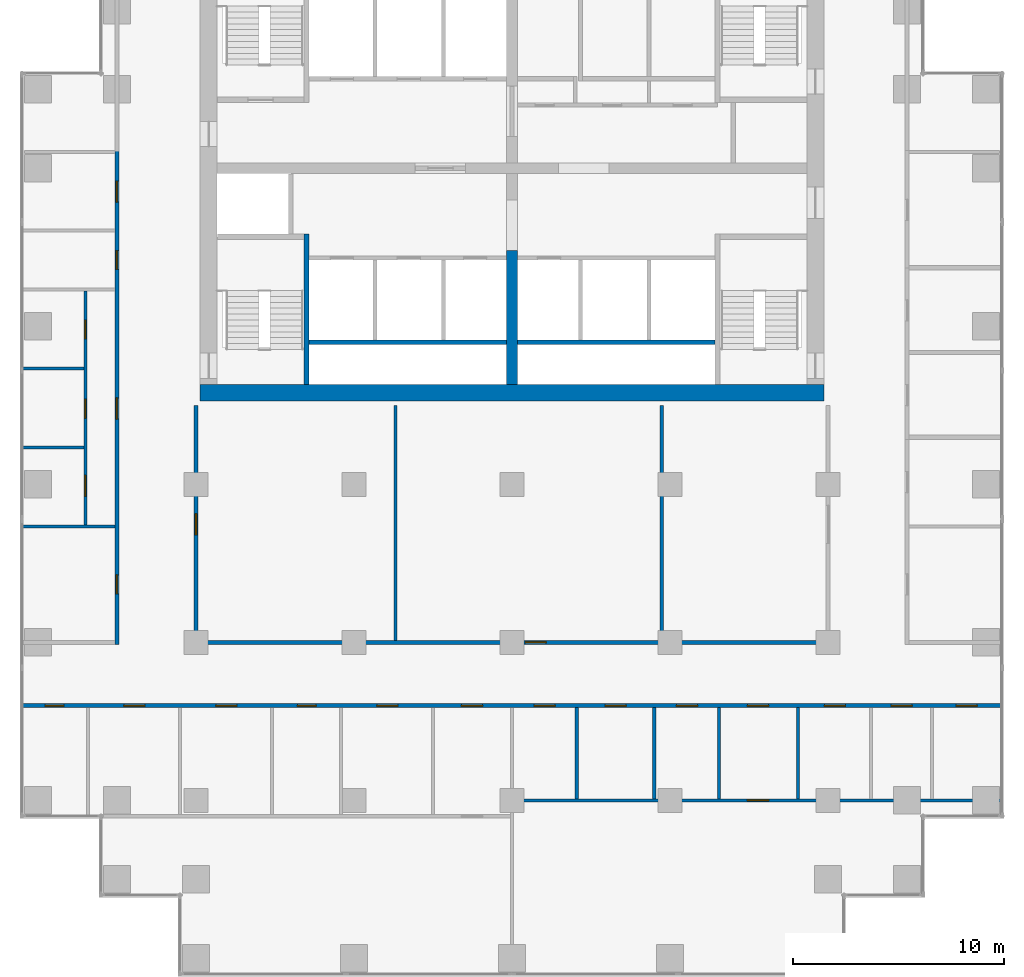
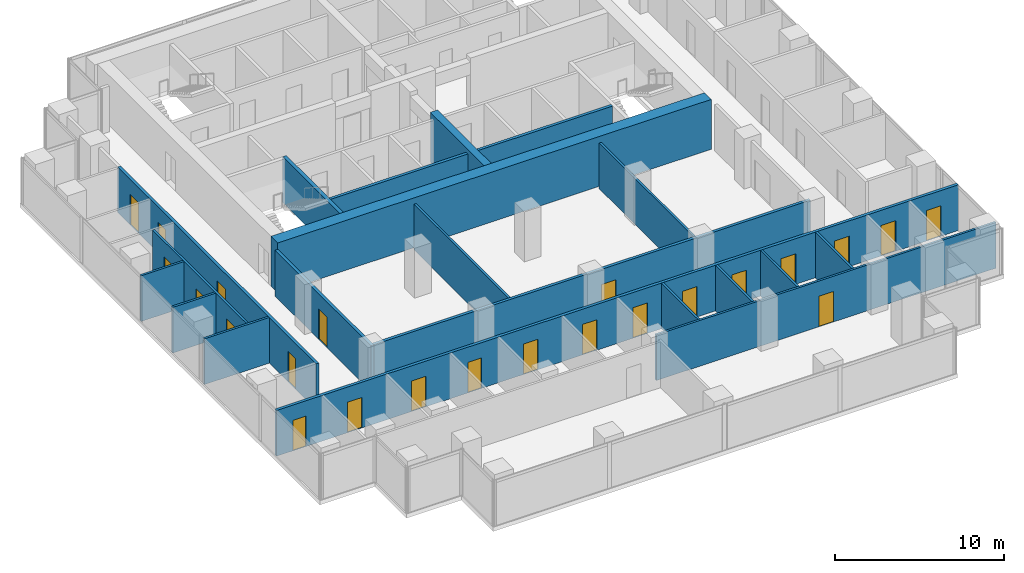
# One storey, part 7 of 10: 23 doors, 20 walls, 23 openings.
"""IFC4 building model written with IfcOpenShell, lengths in metres."""

from ifc_helpers import new_model, si_unit, direction, frame, frame_2d, origin, place, context, subcontext, project, spatial, rectangle, extrude, material, layer, layer_set, type_object, element, fill, save


model = new_model("IFC4")

# Units and contexts
model_context = context("Model", 3, precision=1e-05, world=origin(), true_north=direction((0.0, 1.0)))
body_context = subcontext(model_context, "Body", "Model", "MODEL_VIEW")
ifc_project = project(units=[si_unit("LENGTHUNIT", "METRE"), si_unit("AREAUNIT", "SQUARE_METRE"), si_unit("VOLUMEUNIT", "CUBIC_METRE"), si_unit("PLANEANGLEUNIT", "RADIAN"), si_unit("MASSUNIT", "GRAM", prefix="KILO")], contexts=[model_context])

# Site, building, storey
site_placement = place(None, origin())
site = spatial("IfcSite", under=ifc_project, at=site_placement, CompositionType="ELEMENT")
building_placement = place(site_placement, origin())
building = spatial("IfcBuilding", under=site, at=building_placement, Name="Pilkhan Gate Tower", CompositionType="ELEMENT")
storey_placement = place(building_placement, frame((0.0, 0.0, 139.60009765625)))
storey = spatial("IfcBuildingStorey", under=building, at=storey_placement, Name="L35", CompositionType="ELEMENT", Elevation=139.60009765625)

# Wall
ifc_material_1 = material(Name="Concrete C60/75", Category="concrete")
ifc_layer_1 = layer(ifc_material_1, 0.800048828125)
ifc_layer_set_1 = layer_set([ifc_layer_1], Name="Core wall CW800 C60/75")
wall_type_1 = type_object("IfcWallType", Name="Core wall CW800 C60/75", PredefinedType="SHEAR", material=ifc_layer_set_1)
wall_1_placement = place(storey_placement, frame((60.199951171875, 71.85009765625, 0.0), z_axis=(0.0, 0.0, 1.0), x_axis=(1.0, 0.0, 0.0)))
element("IfcWall", 1, at=wall_1_placement, inside=storey, type_object=wall_type_1, Name="Core wall S L35", PredefinedType="SHEAR", context=body_context, shape_type="SweptSolid", body=[
    extrude(rectangle(XDim=29.60009765625, YDim=0.800048828125, at=frame_2d((14.800048828125, 0.0))), origin(), (0.0, 0.0, 1.0), 3.599853515625),
])

# Wall, openings, doors
ifc_material_2 = material(Name="Dense blockwork", Category="masonry")
ifc_layer_2 = layer(ifc_material_2, 0.199951171875)
ifc_layer_set_2 = layer_set([ifc_layer_2], Name="Corridor wall FW200")
wall_type_2 = type_object("IfcWallType", Name="Corridor wall FW200", PredefinedType="PARTITIONING", material=ifc_layer_set_2)
wall_2_placement = place(storey_placement, frame((51.735107421875, 57.0, 0.0), z_axis=(0.0, 0.0, 1.0), x_axis=(1.0, 0.0, 0.0)))
wall_2 = element("IfcWall", 2, at=wall_2_placement, inside=storey, type_object=wall_type_2, Name="Partition L35", PredefinedType="PARTITIONING", context=body_context, shape_type="SweptSolid", body=[
    extrude(rectangle(XDim=46.52978515625, YDim=0.199951171875, at=frame_2d((23.264892578125, 0.0))), origin(), (0.0, 0.0, 1.0), 3.2998046875),
])
opening_1_placement = place(wall_2_placement, frame((20.864990234375, 0.0, 0.0)))
opening_1 = element("IfcOpeningElement", 3, at=opening_1_placement, cuts=wall_2, Name="Opening L35-06", PredefinedType="OPENING", context=body_context, shape_type="SweptSolid", body=[
    extrude(rectangle(XDim=1.0, YDim=2.199951171875, at=frame_2d((0.5, 1.10009765625))), frame((0.0, 0.10986328125, 0.0), z_axis=(0.0, -1.0, 0.0), x_axis=(1.0, 0.0, 0.0)), (0.0, 0.0, 1.0), 0.219970703125),
])
opening_2_placement = place(wall_2_placement, frame((34.43994140625, 0.0, 0.0)))
opening_2 = element("IfcOpeningElement", 4, at=opening_2_placement, cuts=wall_2, Name="Opening L35-07", PredefinedType="OPENING", context=body_context, shape_type="SweptSolid", body=[
    extrude(rectangle(XDim=1.0, YDim=2.199951171875, at=frame_2d((0.5, 1.10009765625))), frame((0.0, 0.10986328125, 0.0), z_axis=(0.0, -1.0, 0.0), x_axis=(1.0, 0.0, 0.0)), (0.0, 0.0, 1.0), 0.219970703125),
])
opening_3_placement = place(wall_2_placement, frame((1.10009765625, 0.0, 0.0)))
opening_3 = element("IfcOpeningElement", 5, at=opening_3_placement, cuts=wall_2, Name="Opening L35-16", PredefinedType="OPENING", context=body_context, shape_type="SweptSolid", body=[
    extrude(rectangle(XDim=0.89990234375, YDim=2.199951171875, at=frame_2d((0.449951171875, 1.10009765625))), frame((0.0, 0.10986328125, 0.0), z_axis=(0.0, -1.0, 0.0), x_axis=(1.0, 0.0, 0.0)), (0.0, 0.0, 1.0), 0.219970703125),
])
opening_4_placement = place(wall_2_placement, frame((4.840087890625, 0.0, 0.0)))
opening_4 = element("IfcOpeningElement", 6, at=opening_4_placement, cuts=wall_2, Name="Opening L35-17", PredefinedType="OPENING", context=body_context, shape_type="SweptSolid", body=[
    extrude(rectangle(XDim=1.0, YDim=2.199951171875, at=frame_2d((0.5, 1.10009765625))), frame((0.0, 0.10986328125, 0.0), z_axis=(0.0, -1.0, 0.0), x_axis=(1.0, 0.0, 0.0)), (0.0, 0.0, 1.0), 0.219970703125),
])
opening_5_placement = place(wall_2_placement, frame((9.20703125, 0.0, 0.0)))
opening_5 = element("IfcOpeningElement", 7, at=opening_5_placement, cuts=wall_2, Name="Opening L35-18", PredefinedType="OPENING", context=body_context, shape_type="SweptSolid", body=[
    extrude(rectangle(XDim=1.0, YDim=2.199951171875, at=frame_2d((0.5, 1.10009765625))), frame((0.0, 0.10986328125, 0.0), z_axis=(0.0, -1.0, 0.0), x_axis=(1.0, 0.0, 0.0)), (0.0, 0.0, 1.0), 0.219970703125),
])
opening_6_placement = place(wall_2_placement, frame((13.072998046875, 0.0, 0.0)))
opening_6 = element("IfcOpeningElement", 8, at=opening_6_placement, cuts=wall_2, Name="Opening L35-19", PredefinedType="OPENING", context=body_context, shape_type="SweptSolid", body=[
    extrude(rectangle(XDim=0.89990234375, YDim=2.199951171875, at=frame_2d((0.449951171875, 1.10009765625))), frame((0.0, 0.10986328125, 0.0), z_axis=(0.0, -1.0, 0.0), x_axis=(1.0, 0.0, 0.0)), (0.0, 0.0, 1.0), 0.219970703125),
])
opening_7_placement = place(wall_2_placement, frame((16.847900390625, 0.0, 0.0)))
opening_7 = element("IfcOpeningElement", 9, at=opening_7_placement, cuts=wall_2, Name="Opening L35-20", PredefinedType="OPENING", context=body_context, shape_type="SweptSolid", body=[
    extrude(rectangle(XDim=1.0, YDim=2.199951171875, at=frame_2d((0.5, 1.10009765625))), frame((0.0, 0.10986328125, 0.0), z_axis=(0.0, -1.0, 0.0), x_axis=(1.0, 0.0, 0.0)), (0.0, 0.0, 1.0), 0.219970703125),
])
opening_8_placement = place(wall_2_placement, frame((24.31494140625, 0.0, 0.0)))
opening_8 = element("IfcOpeningElement", 10, at=opening_8_placement, cuts=wall_2, Name="Opening L35-22", PredefinedType="OPENING", context=body_context, shape_type="SweptSolid", body=[
    extrude(rectangle(XDim=1.0, YDim=2.199951171875, at=frame_2d((0.5, 1.10009765625))), frame((0.0, 0.10986328125, 0.0), z_axis=(0.0, -1.0, 0.0), x_axis=(1.0, 0.0, 0.0)), (0.0, 0.0, 1.0), 0.219970703125),
])
opening_9_placement = place(wall_2_placement, frame((27.68505859375, 0.0, 0.0)))
opening_9 = element("IfcOpeningElement", 11, at=opening_9_placement, cuts=wall_2, Name="Opening L35-23", PredefinedType="OPENING", context=body_context, shape_type="SweptSolid", body=[
    extrude(rectangle(XDim=1.0, YDim=2.199951171875, at=frame_2d((0.5, 1.10009765625))), frame((0.0, 0.10986328125, 0.0), z_axis=(0.0, -1.0, 0.0), x_axis=(1.0, 0.0, 0.0)), (0.0, 0.0, 1.0), 0.219970703125),
])
opening_10_placement = place(wall_2_placement, frame((31.070068359375, 0.0, 0.0)))
opening_10 = element("IfcOpeningElement", 12, at=opening_10_placement, cuts=wall_2, Name="Opening L35-24", PredefinedType="OPENING", context=body_context, shape_type="SweptSolid", body=[
    extrude(rectangle(XDim=1.0, YDim=2.199951171875, at=frame_2d((0.5, 1.10009765625))), frame((0.0, 0.10986328125, 0.0), z_axis=(0.0, -1.0, 0.0), x_axis=(1.0, 0.0, 0.0)), (0.0, 0.0, 1.0), 0.219970703125),
])
opening_11_placement = place(wall_2_placement, frame((38.090087890625, 0.0, 0.0)))
opening_11 = element("IfcOpeningElement", 13, at=opening_11_placement, cuts=wall_2, Name="Opening L35-25", PredefinedType="OPENING", context=body_context, shape_type="SweptSolid", body=[
    extrude(rectangle(XDim=1.0, YDim=2.199951171875, at=frame_2d((0.5, 1.10009765625))), frame((0.0, 0.10986328125, 0.0), z_axis=(0.0, -1.0, 0.0), x_axis=(1.0, 0.0, 0.0)), (0.0, 0.0, 1.0), 0.219970703125),
])
opening_12_placement = place(wall_2_placement, frame((41.258056640625, 0.0, 0.0)))
opening_12 = element("IfcOpeningElement", 14, at=opening_12_placement, cuts=wall_2, Name="Opening L35-26", PredefinedType="OPENING", context=body_context, shape_type="SweptSolid", body=[
    extrude(rectangle(XDim=1.0, YDim=2.199951171875, at=frame_2d((0.5, 1.10009765625))), frame((0.0, 0.10986328125, 0.0), z_axis=(0.0, -1.0, 0.0), x_axis=(1.0, 0.0, 0.0)), (0.0, 0.0, 1.0), 0.219970703125),
])
opening_13_placement = place(wall_2_placement, frame((44.346923828125, 0.0, 0.0)))
opening_13 = element("IfcOpeningElement", 15, at=opening_13_placement, cuts=wall_2, Name="Opening L35-27", PredefinedType="OPENING", context=body_context, shape_type="SweptSolid", body=[
    extrude(rectangle(XDim=1.0, YDim=2.199951171875, at=frame_2d((0.5, 1.10009765625))), frame((0.0, 0.10986328125, 0.0), z_axis=(0.0, -1.0, 0.0), x_axis=(1.0, 0.0, 0.0)), (0.0, 0.0, 1.0), 0.219970703125),
])
ifc_material_3 = material(Name="Timber flush door, 30 minute fire resisting", Category="wood")
door_type_1 = type_object("IfcDoorType", Name="Room door D03 1000x2200", OperationType="SINGLE_SWING_LEFT", PredefinedType="DOOR", material=ifc_material_3)
door_1_placement = place(opening_1_placement, origin())
door_1 = element("IfcDoor", 16, at=door_1_placement, inside=storey, type_object=door_type_1, Name="Room door", OperationType="SINGLE_SWING_RIGHT", OverallHeight=2.199951171875, OverallWidth=1.0, PredefinedType="DOOR", context=body_context, shape_type="SweptSolid", body=[
    extrude(rectangle(XDim=1.0, YDim=2.199951171875, at=frame_2d((0.5, 1.10009765625))), frame((0.0, 0.02490234375, 0.0), z_axis=(0.0, -1.0, 0.0), x_axis=(1.0, 0.0, 0.0)), (0.0, 0.0, 1.0), 0.050048828125),
])
fill(opening_1, door_1)
door_2_placement = place(opening_2_placement, origin())
door_2 = element("IfcDoor", 17, at=door_2_placement, inside=storey, type_object=door_type_1, Name="Room door", OperationType="SINGLE_SWING_LEFT", OverallHeight=2.199951171875, OverallWidth=1.0, PredefinedType="DOOR", context=body_context, shape_type="SweptSolid", body=[
    extrude(rectangle(XDim=1.0, YDim=2.199951171875, at=frame_2d((0.5, 1.10009765625))), frame((0.0, 0.02490234375, 0.0), z_axis=(0.0, -1.0, 0.0), x_axis=(1.0, 0.0, 0.0)), (0.0, 0.0, 1.0), 0.050048828125),
])
fill(opening_2, door_2)
door_3_placement = place(opening_4_placement, origin())
door_3 = element("IfcDoor", 18, at=door_3_placement, inside=storey, type_object=door_type_1, Name="Room door", OperationType="SINGLE_SWING_RIGHT", OverallHeight=2.199951171875, OverallWidth=1.0, PredefinedType="DOOR", context=body_context, shape_type="SweptSolid", body=[
    extrude(rectangle(XDim=1.0, YDim=2.199951171875, at=frame_2d((0.5, 1.10009765625))), frame((0.0, 0.02490234375, 0.0), z_axis=(0.0, -1.0, 0.0), x_axis=(1.0, 0.0, 0.0)), (0.0, 0.0, 1.0), 0.050048828125),
])
fill(opening_4, door_3)
door_4_placement = place(opening_5_placement, origin())
door_4 = element("IfcDoor", 19, at=door_4_placement, inside=storey, type_object=door_type_1, Name="Room door", OperationType="SINGLE_SWING_RIGHT", OverallHeight=2.199951171875, OverallWidth=1.0, PredefinedType="DOOR", context=body_context, shape_type="SweptSolid", body=[
    extrude(rectangle(XDim=1.0, YDim=2.199951171875, at=frame_2d((0.5, 1.10009765625))), frame((0.0, 0.02490234375, 0.0), z_axis=(0.0, -1.0, 0.0), x_axis=(1.0, 0.0, 0.0)), (0.0, 0.0, 1.0), 0.050048828125),
])
fill(opening_5, door_4)
door_5_placement = place(opening_7_placement, origin())
door_5 = element("IfcDoor", 20, at=door_5_placement, inside=storey, type_object=door_type_1, Name="Room door", OperationType="SINGLE_SWING_LEFT", OverallHeight=2.199951171875, OverallWidth=1.0, PredefinedType="DOOR", context=body_context, shape_type="SweptSolid", body=[
    extrude(rectangle(XDim=1.0, YDim=2.199951171875, at=frame_2d((0.5, 1.10009765625))), frame((0.0, 0.02490234375, 0.0), z_axis=(0.0, -1.0, 0.0), x_axis=(1.0, 0.0, 0.0)), (0.0, 0.0, 1.0), 0.050048828125),
])
fill(opening_7, door_5)
door_6_placement = place(opening_8_placement, origin())
door_6 = element("IfcDoor", 21, at=door_6_placement, inside=storey, type_object=door_type_1, Name="Room door", OperationType="SINGLE_SWING_LEFT", OverallHeight=2.199951171875, OverallWidth=1.0, PredefinedType="DOOR", context=body_context, shape_type="SweptSolid", body=[
    extrude(rectangle(XDim=1.0, YDim=2.199951171875, at=frame_2d((0.5, 1.10009765625))), frame((0.0, 0.02490234375, 0.0), z_axis=(0.0, -1.0, 0.0), x_axis=(1.0, 0.0, 0.0)), (0.0, 0.0, 1.0), 0.050048828125),
])
fill(opening_8, door_6)
door_7_placement = place(opening_9_placement, origin())
door_7 = element("IfcDoor", 22, at=door_7_placement, inside=storey, type_object=door_type_1, Name="Room door", OperationType="SINGLE_SWING_LEFT", OverallHeight=2.199951171875, OverallWidth=1.0, PredefinedType="DOOR", context=body_context, shape_type="SweptSolid", body=[
    extrude(rectangle(XDim=1.0, YDim=2.199951171875, at=frame_2d((0.5, 1.10009765625))), frame((0.0, 0.02490234375, 0.0), z_axis=(0.0, -1.0, 0.0), x_axis=(1.0, 0.0, 0.0)), (0.0, 0.0, 1.0), 0.050048828125),
])
fill(opening_9, door_7)
door_8_placement = place(opening_10_placement, origin())
door_8 = element("IfcDoor", 23, at=door_8_placement, inside=storey, type_object=door_type_1, Name="Room door", OperationType="SINGLE_SWING_RIGHT", OverallHeight=2.199951171875, OverallWidth=1.0, PredefinedType="DOOR", context=body_context, shape_type="SweptSolid", body=[
    extrude(rectangle(XDim=1.0, YDim=2.199951171875, at=frame_2d((0.5, 1.10009765625))), frame((0.0, 0.02490234375, 0.0), z_axis=(0.0, -1.0, 0.0), x_axis=(1.0, 0.0, 0.0)), (0.0, 0.0, 1.0), 0.050048828125),
])
fill(opening_10, door_8)
door_9_placement = place(opening_11_placement, origin())
door_9 = element("IfcDoor", 24, at=door_9_placement, inside=storey, type_object=door_type_1, Name="Room door", OperationType="SINGLE_SWING_LEFT", OverallHeight=2.199951171875, OverallWidth=1.0, PredefinedType="DOOR", context=body_context, shape_type="SweptSolid", body=[
    extrude(rectangle(XDim=1.0, YDim=2.199951171875, at=frame_2d((0.5, 1.10009765625))), frame((0.0, 0.02490234375, 0.0), z_axis=(0.0, -1.0, 0.0), x_axis=(1.0, 0.0, 0.0)), (0.0, 0.0, 1.0), 0.050048828125),
])
fill(opening_11, door_9)
door_10_placement = place(opening_12_placement, origin())
door_10 = element("IfcDoor", 25, at=door_10_placement, inside=storey, type_object=door_type_1, Name="Room door", OperationType="SINGLE_SWING_LEFT", OverallHeight=2.199951171875, OverallWidth=1.0, PredefinedType="DOOR", context=body_context, shape_type="SweptSolid", body=[
    extrude(rectangle(XDim=1.0, YDim=2.199951171875, at=frame_2d((0.5, 1.10009765625))), frame((0.0, 0.02490234375, 0.0), z_axis=(0.0, -1.0, 0.0), x_axis=(1.0, 0.0, 0.0)), (0.0, 0.0, 1.0), 0.050048828125),
])
fill(opening_12, door_10)
door_11_placement = place(opening_13_placement, origin())
door_11 = element("IfcDoor", 26, at=door_11_placement, inside=storey, type_object=door_type_1, Name="Room door", OperationType="SINGLE_SWING_LEFT", OverallHeight=2.199951171875, OverallWidth=1.0, PredefinedType="DOOR", context=body_context, shape_type="SweptSolid", body=[
    extrude(rectangle(XDim=1.0, YDim=2.199951171875, at=frame_2d((0.5, 1.10009765625))), frame((0.0, 0.02490234375, 0.0), z_axis=(0.0, -1.0, 0.0), x_axis=(1.0, 0.0, 0.0)), (0.0, 0.0, 1.0), 0.050048828125),
])
fill(opening_13, door_11)
ifc_material_4 = material(Name="Timber flush door, 60 minute fire resisting, self-closing", Category="wood")
door_type_2 = type_object("IfcDoorType", Name="Store door D05 900x2200", OperationType="SINGLE_SWING_LEFT", PredefinedType="DOOR", material=ifc_material_4)
door_12_placement = place(opening_3_placement, origin())
door_12 = element("IfcDoor", 27, at=door_12_placement, inside=storey, type_object=door_type_2, Name="Store door", OperationType="SINGLE_SWING_LEFT", OverallHeight=2.199951171875, OverallWidth=0.89990234375, PredefinedType="DOOR", context=body_context, shape_type="SweptSolid", body=[
    extrude(rectangle(XDim=0.89990234375, YDim=2.199951171875, at=frame_2d((0.449951171875, 1.10009765625))), frame((0.0, 0.02490234375, 0.0), z_axis=(0.0, -1.0, 0.0), x_axis=(1.0, 0.0, 0.0)), (0.0, 0.0, 1.0), 0.050048828125),
])
fill(opening_3, door_12)
door_13_placement = place(opening_6_placement, origin())
door_13 = element("IfcDoor", 28, at=door_13_placement, inside=storey, type_object=door_type_2, Name="Store door", OperationType="SINGLE_SWING_RIGHT", OverallHeight=2.199951171875, OverallWidth=0.89990234375, PredefinedType="DOOR", context=body_context, shape_type="SweptSolid", body=[
    extrude(rectangle(XDim=0.89990234375, YDim=2.199951171875, at=frame_2d((0.449951171875, 1.10009765625))), frame((0.0, 0.02490234375, 0.0), z_axis=(0.0, -1.0, 0.0), x_axis=(1.0, 0.0, 0.0)), (0.0, 0.0, 1.0), 0.050048828125),
])
fill(opening_6, door_13)

# Wall, opening, door
wall_3_placement = place(storey_placement, frame((60.10009765625, 60.0, 0.0), z_axis=(0.0, 0.0, 1.0), x_axis=(1.0, 0.0, 0.0)))
wall_3 = element("IfcWall", 29, at=wall_3_placement, inside=storey, type_object=wall_type_2, Name="Partition L35", PredefinedType="PARTITIONING", context=body_context, shape_type="SweptSolid", body=[
    extrude(rectangle(XDim=29.7998046875, YDim=0.199951171875, at=frame_2d((14.89990234375, 0.0))), origin(), (0.0, 0.0, 1.0), 3.2998046875),
])
opening_14_placement = place(wall_3_placement, frame((15.52392578125, 0.0, 0.0)))
opening_14 = element("IfcOpeningElement", 30, at=opening_14_placement, cuts=wall_3, Name="Opening L35-39", PredefinedType="OPENING", context=body_context, shape_type="SweptSolid", body=[
    extrude(rectangle(XDim=1.0, YDim=2.199951171875, at=frame_2d((0.5, 1.10009765625))), frame((0.0, 0.10986328125, 0.0), z_axis=(0.0, -1.0, 0.0), x_axis=(1.0, 0.0, 0.0)), (0.0, 0.0, 1.0), 0.219970703125),
])
door_14_placement = place(opening_14_placement, origin())
door_14 = element("IfcDoor", 31, at=door_14_placement, inside=storey, type_object=door_type_1, Name="Room door", OperationType="SINGLE_SWING_LEFT", OverallHeight=2.199951171875, OverallWidth=1.0, PredefinedType="DOOR", context=body_context, shape_type="SweptSolid", body=[
    extrude(rectangle(XDim=1.0, YDim=2.199951171875, at=frame_2d((0.5, 1.10009765625))), frame((0.0, 0.02490234375, 0.0), z_axis=(0.0, -1.0, 0.0), x_axis=(1.0, 0.0, 0.0)), (0.0, 0.0, 1.0), 0.050048828125),
])
fill(opening_14, door_14)

# Wall, openings, doors
wall_4_placement = place(storey_placement, frame((56.25, 59.89990234375, 0.0), z_axis=(0.0, 0.0, 1.0), x_axis=(0.0, 1.0, 0.0)))
wall_4 = element("IfcWall", 32, at=wall_4_placement, inside=storey, type_object=wall_type_2, Name="Partition L35", PredefinedType="PARTITIONING", context=body_context, shape_type="SweptSolid", body=[
    extrude(rectangle(XDim=23.455078125, YDim=0.199951171875, at=frame_2d((11.7275390625, 0.0))), origin(), (0.0, 0.0, 1.0), 3.2998046875),
])
opening_15_placement = place(wall_4_placement, frame((10.699951171875, 0.0, 0.0)))
opening_15 = element("IfcOpeningElement", 33, at=opening_15_placement, cuts=wall_4, Name="Opening L35-08", PredefinedType="OPENING", context=body_context, shape_type="SweptSolid", body=[
    extrude(rectangle(XDim=1.0, YDim=2.199951171875, at=frame_2d((0.5, 1.10009765625))), frame((0.0, 0.10986328125, 0.0), z_axis=(0.0, -1.0, 0.0), x_axis=(1.0, 0.0, 0.0)), (0.0, 0.0, 1.0), 0.219970703125),
])
opening_16_placement = place(wall_4_placement, frame((2.39990234375, 0.0, 0.0)))
opening_16 = element("IfcOpeningElement", 34, at=opening_16_placement, cuts=wall_4, Name="Opening L35-32", PredefinedType="OPENING", context=body_context, shape_type="SweptSolid", body=[
    extrude(rectangle(XDim=0.89990234375, YDim=2.199951171875, at=frame_2d((0.449951171875, 1.10009765625))), frame((0.0, 0.10986328125, 0.0), z_axis=(0.0, -1.0, 0.0), x_axis=(1.0, 0.0, 0.0)), (0.0, 0.0, 1.0), 0.219970703125),
])
opening_17_placement = place(wall_4_placement, frame((17.800048828125, 0.0, 0.0)))
opening_17 = element("IfcOpeningElement", 35, at=opening_17_placement, cuts=wall_4, Name="Opening L35-33", PredefinedType="OPENING", context=body_context, shape_type="SweptSolid", body=[
    extrude(rectangle(XDim=0.89990234375, YDim=2.199951171875, at=frame_2d((0.449951171875, 1.10009765625))), frame((0.0, 0.10986328125, 0.0), z_axis=(0.0, -1.0, 0.0), x_axis=(1.0, 0.0, 0.0)), (0.0, 0.0, 1.0), 0.219970703125),
])
opening_18_placement = place(wall_4_placement, frame((20.9990234375, 0.0, 0.0)))
opening_18 = element("IfcOpeningElement", 36, at=opening_18_placement, cuts=wall_4, Name="Opening L35-34", PredefinedType="OPENING", context=body_context, shape_type="SweptSolid", body=[
    extrude(rectangle(XDim=1.0, YDim=2.199951171875, at=frame_2d((0.5, 1.10009765625))), frame((0.0, 0.10986328125, 0.0), z_axis=(0.0, -1.0, 0.0), x_axis=(1.0, 0.0, 0.0)), (0.0, 0.0, 1.0), 0.219970703125),
])
door_15_placement = place(opening_15_placement, origin())
door_15 = element("IfcDoor", 37, at=door_15_placement, inside=storey, type_object=door_type_1, Name="Toilet lobby door", OperationType="SINGLE_SWING_RIGHT", OverallHeight=2.199951171875, OverallWidth=1.0, PredefinedType="DOOR", context=body_context, shape_type="SweptSolid", body=[
    extrude(rectangle(XDim=1.0, YDim=2.199951171875, at=frame_2d((0.5, 1.10009765625))), frame((0.0, 0.02490234375, 0.0), z_axis=(0.0, -1.0, 0.0), x_axis=(1.0, 0.0, 0.0)), (0.0, 0.0, 1.0), 0.050048828125),
])
fill(opening_15, door_15)
door_16_placement = place(opening_18_placement, origin())
door_16 = element("IfcDoor", 38, at=door_16_placement, inside=storey, type_object=door_type_1, Name="Room door", OperationType="SINGLE_SWING_LEFT", OverallHeight=2.199951171875, OverallWidth=1.0, PredefinedType="DOOR", context=body_context, shape_type="SweptSolid", body=[
    extrude(rectangle(XDim=1.0, YDim=2.199951171875, at=frame_2d((0.5, 1.10009765625))), frame((0.0, 0.02490234375, 0.0), z_axis=(0.0, -1.0, 0.0), x_axis=(1.0, 0.0, 0.0)), (0.0, 0.0, 1.0), 0.050048828125),
])
fill(opening_18, door_16)
door_17_placement = place(opening_16_placement, origin())
door_17 = element("IfcDoor", 39, at=door_17_placement, inside=storey, type_object=door_type_2, Name="Store door", OperationType="SINGLE_SWING_LEFT", OverallHeight=2.199951171875, OverallWidth=0.89990234375, PredefinedType="DOOR", context=body_context, shape_type="SweptSolid", body=[
    extrude(rectangle(XDim=0.89990234375, YDim=2.199951171875, at=frame_2d((0.449951171875, 1.10009765625))), frame((0.0, 0.02490234375, 0.0), z_axis=(0.0, -1.0, 0.0), x_axis=(1.0, 0.0, 0.0)), (0.0, 0.0, 1.0), 0.050048828125),
])
fill(opening_16, door_17)
door_18_placement = place(opening_17_placement, origin())
door_18 = element("IfcDoor", 40, at=door_18_placement, inside=storey, type_object=door_type_2, Name="Store door", OperationType="SINGLE_SWING_LEFT", OverallHeight=2.199951171875, OverallWidth=0.89990234375, PredefinedType="DOOR", context=body_context, shape_type="SweptSolid", body=[
    extrude(rectangle(XDim=0.89990234375, YDim=2.199951171875, at=frame_2d((0.449951171875, 1.10009765625))), frame((0.0, 0.02490234375, 0.0), z_axis=(0.0, -1.0, 0.0), x_axis=(1.0, 0.0, 0.0)), (0.0, 0.0, 1.0), 0.050048828125),
])
fill(opening_17, door_18)

# Wall, opening, door
wall_5_placement = place(storey_placement, frame((60.0, 59.89990234375, 0.0), z_axis=(0.0, 0.0, 1.0), x_axis=(0.0, 1.0, 0.0)))
wall_5 = element("IfcWall", 41, at=wall_5_placement, inside=storey, type_object=wall_type_2, Name="Partition L35", PredefinedType="PARTITIONING", context=body_context, shape_type="SweptSolid", body=[
    extrude(rectangle(XDim=11.35009765625, YDim=0.199951171875, at=frame_2d((5.675048828125, 0.0))), origin(), (0.0, 0.0, 1.0), 3.2998046875),
])
opening_19_placement = place(wall_5_placement, frame((5.199951171875, 0.0, 0.0)))
opening_19 = element("IfcOpeningElement", 42, at=opening_19_placement, cuts=wall_5, Name="Opening L35-38", PredefinedType="OPENING", context=body_context, shape_type="SweptSolid", body=[
    extrude(rectangle(XDim=1.0, YDim=2.199951171875, at=frame_2d((0.5, 1.10009765625))), frame((0.0, 0.10986328125, 0.0), z_axis=(0.0, -1.0, 0.0), x_axis=(1.0, 0.0, 0.0)), (0.0, 0.0, 1.0), 0.219970703125),
])
door_19_placement = place(opening_19_placement, origin())
door_19 = element("IfcDoor", 43, at=door_19_placement, inside=storey, type_object=door_type_1, Name="Room door", OperationType="SINGLE_SWING_RIGHT", OverallHeight=2.199951171875, OverallWidth=1.0, PredefinedType="DOOR", context=body_context, shape_type="SweptSolid", body=[
    extrude(rectangle(XDim=1.0, YDim=2.199951171875, at=frame_2d((0.5, 1.10009765625))), frame((0.0, 0.02490234375, 0.0), z_axis=(0.0, -1.0, 0.0), x_axis=(1.0, 0.0, 0.0)), (0.0, 0.0, 1.0), 0.050048828125),
])
fill(opening_19, door_19)

ifc_material_5 = material(Name="Blockwork partition, plastered both sides", Category="masonry")
ifc_layer_3 = layer(ifc_material_5, 0.14990234375)
ifc_layer_set_3 = layer_set([ifc_layer_3], Name="Partition PW150")
wall_type_3 = type_object("IfcWallType", Name="Partition PW150", PredefinedType="PARTITIONING", material=ifc_layer_set_3)
wall_6_placement = place(storey_placement, frame((75.074951171875, 52.5, 0.0), z_axis=(0.0, 0.0, 1.0), x_axis=(1.0, 0.0, 0.0)))
wall_6 = element("IfcWall", 44, at=wall_6_placement, inside=storey, type_object=wall_type_3, Name="Partition L35", PredefinedType="PARTITIONING", context=body_context, shape_type="SweptSolid", body=[
    extrude(rectangle(XDim=23.18994140625, YDim=0.14990234375, at=frame_2d((11.594970703125, 0.0))), origin(), (0.0, 0.0, 1.0), 3.2998046875),
])
opening_20_placement = place(wall_6_placement, frame((11.10009765625, 0.0, 0.0)))
opening_20 = element("IfcOpeningElement", 45, at=opening_20_placement, cuts=wall_6, Name="Opening L35-28", PredefinedType="OPENING", context=body_context, shape_type="SweptSolid", body=[
    extrude(rectangle(XDim=1.0, YDim=2.199951171875, at=frame_2d((0.5, 1.10009765625))), frame((0.0, 0.0849609375, 0.0), z_axis=(0.0, -1.0, 0.0), x_axis=(1.0, 0.0, 0.0)), (0.0, 0.0, 1.0), 0.169921875),
])
door_20_placement = place(opening_20_placement, origin())
door_20 = element("IfcDoor", 46, at=door_20_placement, inside=storey, type_object=door_type_1, Name="Room door", OperationType="SINGLE_SWING_LEFT", OverallHeight=2.199951171875, OverallWidth=1.0, PredefinedType="DOOR", context=body_context, shape_type="SweptSolid", body=[
    extrude(rectangle(XDim=1.0, YDim=2.199951171875, at=frame_2d((0.5, 1.10009765625))), frame((0.0, 0.02490234375, 0.0), z_axis=(0.0, -1.0, 0.0), x_axis=(1.0, 0.0, 0.0)), (0.0, 0.0, 1.0), 0.050048828125),
])
fill(opening_20, door_20)

# Walls
wall_7_placement = place(storey_placement, frame((51.735107421875, 65.5, 0.0), z_axis=(0.0, 0.0, 1.0), x_axis=(1.0, 0.0, 0.0)))
element("IfcWall", 47, at=wall_7_placement, inside=storey, type_object=wall_type_3, Name="Partition L35", PredefinedType="PARTITIONING", context=body_context, shape_type="SweptSolid", body=[
    extrude(rectangle(XDim=4.414794921875, YDim=0.14990234375, at=frame_2d((2.20751953125, 0.0))), origin(), (0.0, 0.0, 1.0), 3.2998046875),
])
for number, where, z_axis, x_axis, name in (
    (48, (51.735107421875, 69.25, 0.0), (0.0, 0.0, 1.0), (1.0, 0.0, 0.0), "Partition L35"),
    (49, (51.735107421875, 73.0, 0.0), (0.0, 0.0, 1.0), (1.0, 0.0, 0.0), "Partition L35"),
):
    element("IfcWall", number, at=place(storey_placement, frame(where, z_axis=z_axis, x_axis=x_axis)), inside=storey, type_object=wall_type_3, Name=name, PredefinedType="PARTITIONING", context=body_context, shape_type="SweptSolid", body=[
        extrude(rectangle(XDim=2.93994140625, YDim=0.14990234375, at=frame_2d((1.469970703125, 0.0))), origin(), (0.0, 0.0, 1.0), 3.2998046875),
    ])

# Wall, openings, doors
wall_8_placement = place(storey_placement, frame((54.75, 65.574951171875, 0.0), z_axis=(0.0, 0.0, 1.0), x_axis=(0.0, 1.0, 0.0)))
wall_8 = element("IfcWall", 50, at=wall_8_placement, inside=storey, type_object=wall_type_3, Name="Partition L35", PredefinedType="PARTITIONING", context=body_context, shape_type="SweptSolid", body=[
    extrude(rectangle(XDim=11.10009765625, YDim=0.14990234375, at=frame_2d((5.550048828125, 0.0))), origin(), (0.0, 0.0, 1.0), 3.2998046875),
])
opening_21_placement = place(wall_8_placement, frame((1.35009765625, 0.0, 0.0)))
opening_21 = element("IfcOpeningElement", 51, at=opening_21_placement, cuts=wall_8, Name="Opening L35-29", PredefinedType="OPENING", context=body_context, shape_type="SweptSolid", body=[
    extrude(rectangle(XDim=1.0, YDim=2.199951171875, at=frame_2d((0.5, 1.10009765625))), frame((0.0, 0.0849609375, 0.0), z_axis=(0.0, -1.0, 0.0), x_axis=(1.0, 0.0, 0.0)), (0.0, 0.0, 1.0), 0.169921875),
])
opening_22_placement = place(wall_8_placement, frame((5.074951171875, 0.0, 0.0)))
opening_22 = element("IfcOpeningElement", 52, at=opening_22_placement, cuts=wall_8, Name="Opening L35-30", PredefinedType="OPENING", context=body_context, shape_type="SweptSolid", body=[
    extrude(rectangle(XDim=0.89990234375, YDim=2.199951171875, at=frame_2d((0.449951171875, 1.10009765625))), frame((0.0, 0.0849609375, 0.0), z_axis=(0.0, -1.0, 0.0), x_axis=(1.0, 0.0, 0.0)), (0.0, 0.0, 1.0), 0.169921875),
])
opening_23_placement = place(wall_8_placement, frame((8.824951171875, 0.0, 0.0)))
opening_23 = element("IfcOpeningElement", 53, at=opening_23_placement, cuts=wall_8, Name="Opening L35-31", PredefinedType="OPENING", context=body_context, shape_type="SweptSolid", body=[
    extrude(rectangle(XDim=0.89990234375, YDim=2.199951171875, at=frame_2d((0.449951171875, 1.10009765625))), frame((0.0, 0.0849609375, 0.0), z_axis=(0.0, -1.0, 0.0), x_axis=(1.0, 0.0, 0.0)), (0.0, 0.0, 1.0), 0.169921875),
])
ifc_material_6 = material(Name="Timber flush door, outward opening, 30 minute fire resisting", Category="wood")
door_type_3 = type_object("IfcDoorType", Name="Accessible toilet door D07 1000x2200", OperationType="SINGLE_SWING_LEFT", PredefinedType="DOOR", material=ifc_material_6)
door_21_placement = place(opening_21_placement, origin())
door_21 = element("IfcDoor", 54, at=door_21_placement, inside=storey, type_object=door_type_3, Name="Accessible toilet door", OperationType="SINGLE_SWING_LEFT", OverallHeight=2.199951171875, OverallWidth=1.0, PredefinedType="DOOR", context=body_context, shape_type="SweptSolid", body=[
    extrude(rectangle(XDim=1.0, YDim=2.199951171875, at=frame_2d((0.5, 1.10009765625))), frame((0.0, 0.02490234375, 0.0), z_axis=(0.0, -1.0, 0.0), x_axis=(1.0, 0.0, 0.0)), (0.0, 0.0, 1.0), 0.050048828125),
])
fill(opening_21, door_21)
door_type_4 = type_object("IfcDoorType", Name="Toilet door D06 900x2200", OperationType="SINGLE_SWING_LEFT", PredefinedType="DOOR", material=ifc_material_3)
door_22_placement = place(opening_22_placement, origin())
door_22 = element("IfcDoor", 55, at=door_22_placement, inside=storey, type_object=door_type_4, Name="Toilet door", OperationType="SINGLE_SWING_RIGHT", OverallHeight=2.199951171875, OverallWidth=0.89990234375, PredefinedType="DOOR", context=body_context, shape_type="SweptSolid", body=[
    extrude(rectangle(XDim=0.89990234375, YDim=2.199951171875, at=frame_2d((0.449951171875, 1.10009765625))), frame((0.0, 0.02490234375, 0.0), z_axis=(0.0, -1.0, 0.0), x_axis=(1.0, 0.0, 0.0)), (0.0, 0.0, 1.0), 0.050048828125),
])
fill(opening_22, door_22)
door_23_placement = place(opening_23_placement, origin())
door_23 = element("IfcDoor", 56, at=door_23_placement, inside=storey, type_object=door_type_4, Name="Toilet door", OperationType="SINGLE_SWING_LEFT", OverallHeight=2.199951171875, OverallWidth=0.89990234375, PredefinedType="DOOR", context=body_context, shape_type="SweptSolid", body=[
    extrude(rectangle(XDim=0.89990234375, YDim=2.199951171875, at=frame_2d((0.449951171875, 1.10009765625))), frame((0.0, 0.02490234375, 0.0), z_axis=(0.0, -1.0, 0.0), x_axis=(1.0, 0.0, 0.0)), (0.0, 0.0, 1.0), 0.050048828125),
])
fill(opening_23, door_23)

# Walls
wall_9_placement = place(storey_placement, frame((69.47412109375, 60.10009765625, 0.0), z_axis=(0.0, 0.0, 1.0), x_axis=(0.0, 1.0, 0.0)))
element("IfcWall", 57, at=wall_9_placement, inside=storey, type_object=wall_type_3, Name="Partition L35", PredefinedType="PARTITIONING", context=body_context, shape_type="SweptSolid", body=[
    extrude(rectangle(XDim=11.14990234375, YDim=0.14990234375, at=frame_2d((5.574951171875, 0.0))), origin(), (0.0, 0.0, 1.0), 3.2998046875),
])
for number, where, z_axis, x_axis, name in (
    (58, (78.070068359375, 52.574951171875, 0.0), (0.0, 0.0, 1.0), (0.0, 1.0, 0.0), "Partition L35"),
    (59, (81.7548828125, 52.574951171875, 0.0), (0.0, 0.0, 1.0), (0.0, 1.0, 0.0), "Partition L35"),
):
    element("IfcWall", number, at=place(storey_placement, frame(where, z_axis=z_axis, x_axis=x_axis)), inside=storey, type_object=wall_type_3, Name=name, PredefinedType="PARTITIONING", context=body_context, shape_type="SweptSolid", body=[
        extrude(rectangle(XDim=4.324951171875, YDim=0.14990234375, at=frame_2d((2.16259765625, 0.0))), origin(), (0.0, 0.0, 1.0), 3.2998046875),
    ])
wall_10_placement = place(storey_placement, frame((82.10498046875, 60.10009765625, 0.0), z_axis=(0.0, 0.0, 1.0), x_axis=(0.0, 1.0, 0.0)))
element("IfcWall", 60, at=wall_10_placement, inside=storey, type_object=wall_type_3, Name="Partition L35", PredefinedType="PARTITIONING", context=body_context, shape_type="SweptSolid", body=[
    extrude(rectangle(XDim=11.14990234375, YDim=0.14990234375, at=frame_2d((5.574951171875, 0.0))), origin(), (0.0, 0.0, 1.0), 3.2998046875),
])
for number, where, z_axis, x_axis, name in (
    (61, (84.824951171875, 52.574951171875, 0.0), (0.0, 0.0, 1.0), (0.0, 1.0, 0.0), "Partition L35"),
    (62, (88.574951171875, 52.574951171875, 0.0), (0.0, 0.0, 1.0), (0.0, 1.0, 0.0), "Partition L35"),
):
    element("IfcWall", number, at=place(storey_placement, frame(where, z_axis=z_axis, x_axis=x_axis)), inside=storey, type_object=wall_type_3, Name=name, PredefinedType="PARTITIONING", context=body_context, shape_type="SweptSolid", body=[
        extrude(rectangle(XDim=4.324951171875, YDim=0.14990234375, at=frame_2d((2.16259765625, 0.0))), origin(), (0.0, 0.0, 1.0), 3.2998046875),
    ])
ifc_material_7 = material(Name="Reinforced blockwork shaft wall, 120 minute fire resisting", Category="masonry")
ifc_layer_4 = layer(ifc_material_7, 0.199951171875)
ifc_layer_set_4 = layer_set([ifc_layer_4], Name="Shaft wall SW200")
wall_type_4 = type_object("IfcWallType", Name="Shaft wall SW200", PredefinedType="PARTITIONING", material=ifc_layer_set_4)
for number, where, z_axis, x_axis, name in (
    (63, (65.375, 74.25, 0.0), (0.0, 0.0, 1.0), (1.0, 0.0, 0.0), "Partition L35"),
    (64, (75.260009765625, 74.25, 0.0), (0.0, 0.0, 1.0), (1.0, 0.0, 0.0), "Partition L35"),
):
    element("IfcWall", number, at=place(storey_placement, frame(where, z_axis=z_axis, x_axis=x_axis)), inside=storey, type_object=wall_type_4, Name=name, PredefinedType="PARTITIONING", context=body_context, shape_type="SweptSolid", body=[
        extrude(rectangle(XDim=9.364990234375, YDim=0.199951171875, at=frame_2d((4.6826171875, 0.0))), origin(), (0.0, 0.0, 1.0), 3.2998046875),
    ])
ifc_layer_5 = layer(ifc_material_1, 0.5)
ifc_layer_set_5 = layer_set([ifc_layer_5], Name="Spine wall SW500 C60/75")
wall_type_5 = type_object("IfcWallType", Name="Spine wall SW500 C60/75", PredefinedType="SHEAR", material=ifc_layer_set_5)
wall_11_placement = place(storey_placement, frame((75.0, 72.25, 0.0), z_axis=(0.0, 0.0, 1.0), x_axis=(0.0, 1.0, 0.0)))
element("IfcWall", 65, at=wall_11_placement, inside=storey, type_object=wall_type_5, Name="Spine wall SP-NS-S1 L35", PredefinedType="SHEAR", context=body_context, shape_type="SweptSolid", body=[
    extrude(rectangle(XDim=6.35009765625, YDim=0.5, at=frame_2d((3.175048828125, 0.0))), origin(), (0.0, 0.0, 1.0), 3.599853515625),
])
ifc_material_8 = material(Name="Reinforced blockwork, 120 minute fire resisting", Category="masonry")
ifc_layer_6 = layer(ifc_material_8, 0.25)
ifc_layer_set_6 = layer_set([ifc_layer_6], Name="Stair enclosure wall SE250")
wall_type_6 = type_object("IfcWallType", Name="Stair enclosure wall SE250", PredefinedType="PARTITIONING", material=ifc_layer_set_6)
wall_12_placement = place(storey_placement, frame((65.25, 72.25, 0.0), z_axis=(0.0, 0.0, 1.0), x_axis=(0.0, 1.0, 0.0)))
element("IfcWall", 66, at=wall_12_placement, inside=storey, type_object=wall_type_6, Name="Partition L35", PredefinedType="PARTITIONING", context=body_context, shape_type="SweptSolid", body=[
    extrude(rectangle(XDim=7.125, YDim=0.25, at=frame_2d((3.5625, 0.0))), origin(), (0.0, 0.0, 1.0), 3.2998046875),
])

save(model, "model.ifc")
